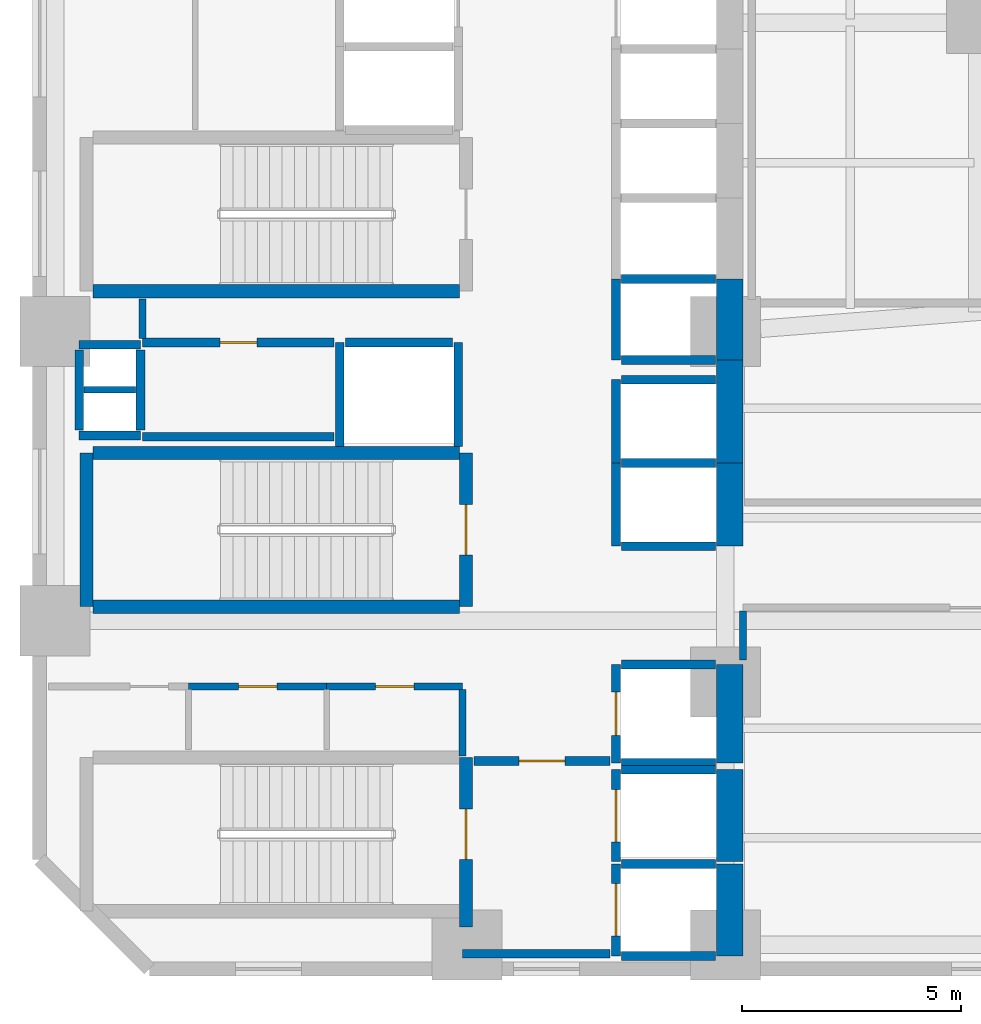
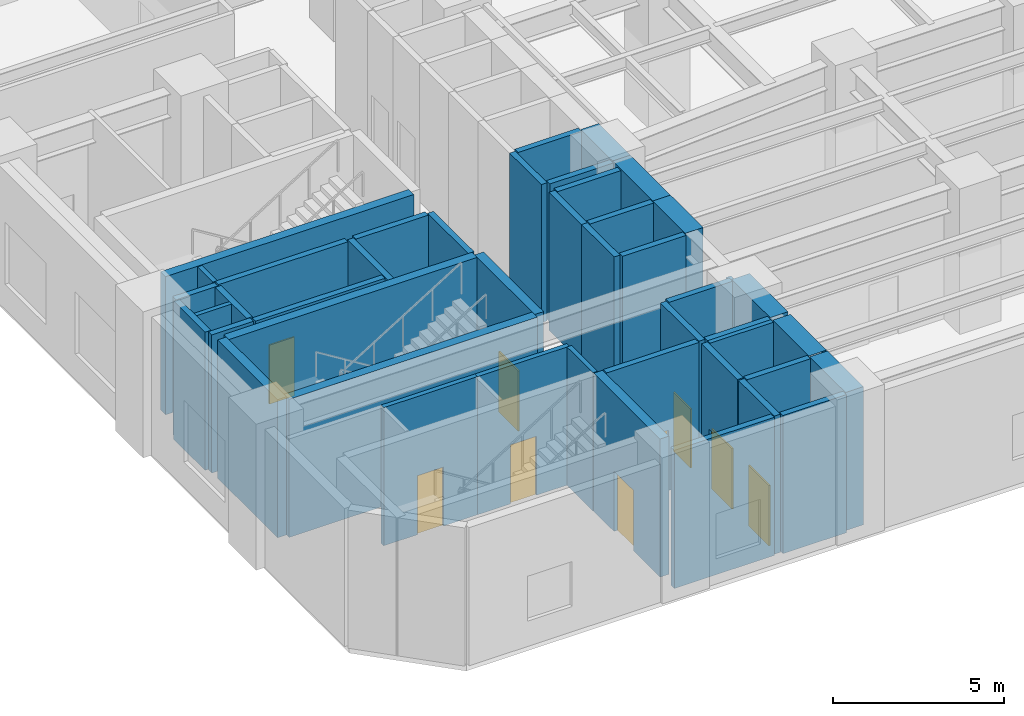
# One storey, part 14 of 22: 45 walls, 9 doors, 9 openings.
"""IFC4 building model written with IfcOpenShell, lengths in metres."""

from ifc_helpers import new_model, si_unit, direction, frame, frame_2d, origin, place, context, subcontext, project, spatial, rectangle, extrude, material, layer, layer_set, type_object, element, fill, save


model = new_model("IFC4")

# Units and contexts
model_context = context("Model", 3, precision=1e-05, world=origin(), true_north=direction((0.0, 1.0)))
body_context = subcontext(model_context, "Body", "Model", "MODEL_VIEW")
ifc_project = project(units=[si_unit("LENGTHUNIT", "METRE"), si_unit("AREAUNIT", "SQUARE_METRE"), si_unit("VOLUMEUNIT", "CUBIC_METRE"), si_unit("PLANEANGLEUNIT", "RADIAN"), si_unit("MASSUNIT", "GRAM", prefix="KILO")], contexts=[model_context])

# Site, building, storey
site_placement = place(None, origin())
site = spatial("IfcSite", under=ifc_project, at=site_placement, CompositionType="ELEMENT")
building_placement = place(site_placement, origin())
building = spatial("IfcBuilding", under=site, at=building_placement, Name="Mawjaban Terraces University", CompositionType="ELEMENT")
storey_placement = place(building_placement, frame((0.0, 0.0, 5.199951171875)))
storey = spatial("IfcBuildingStorey", under=building, at=storey_placement, Name="L01", CompositionType="ELEMENT", Elevation=5.199951171875)

# Walls
ifc_material_1 = material(Name="Concrete C70/85", Category="concrete")
ifc_layer_1 = layer(ifc_material_1, 0.60009765625)
ifc_layer_set_1 = layer_set([ifc_layer_1], Name="Concrete C70/85")
wall_type_1 = type_object("IfcWallType", Name="CoreShearWall_600", PredefinedType="SHEAR", material=ifc_layer_set_1)
wall_1_placement = place(storey_placement, frame((37.75, 0.300048828125, 0.0), z_axis=(0.0, 0.0, 1.0), x_axis=(0.0, 1.0, 0.0)))
element("IfcWall", 1, at=wall_1_placement, inside=storey, type_object=wall_type_1, Name="L01 Lift FL-1 Hoistway Wall East", PredefinedType="SHEAR", context=body_context, shape_type="SweptSolid", body=[
    extrude(rectangle(XDim=2.099853515625, YDim=0.60009765625, at=frame_2d((1.0498046875, 0.0))), origin(), (0.0, 0.0, 1.0), 4.920166015625),
])
wall_2_placement = place(storey_placement, frame((37.75, 2.449951171875, 0.0), z_axis=(0.0, 0.0, 1.0), x_axis=(0.0, 1.0, 0.0)))
element("IfcWall", 2, at=wall_2_placement, inside=storey, type_object=wall_type_1, Name="L01 Lift FL-2 Hoistway Wall East", PredefinedType="SHEAR", context=body_context, shape_type="SweptSolid", body=[
    extrude(rectangle(XDim=2.10009765625, YDim=0.60009765625, at=frame_2d((1.050048828125, 0.0))), origin(), (0.0, 0.0, 1.0), 4.920166015625),
])
wall_3_placement = place(storey_placement, frame((37.75, 4.699951171875, 0.0), z_axis=(0.0, 0.0, 1.0), x_axis=(0.0, 1.0, 0.0)))
element("IfcWall", 3, at=wall_3_placement, inside=storey, type_object=wall_type_1, Name="L01 Lift SL-1 Hoistway Wall East", PredefinedType="SHEAR", context=body_context, shape_type="SweptSolid", body=[
    extrude(rectangle(XDim=2.25, YDim=0.60009765625, at=frame_2d((1.125, 0.0))), origin(), (0.0, 0.0, 1.0), 4.920166015625),
])
wall_4_placement = place(storey_placement, frame((37.75, 9.64990234375, 0.0), z_axis=(0.0, 0.0, 1.0), x_axis=(0.0, 1.0, 0.0)))
element("IfcWall", 4, at=wall_4_placement, inside=storey, type_object=wall_type_1, Name="L01 Lift PL-H1 Hoistway Wall East", PredefinedType="SHEAR", context=body_context, shape_type="SweptSolid", body=[
    extrude(rectangle(XDim=1.900146484375, YDim=0.60009765625, at=frame_2d((0.9501953125, 0.0))), origin(), (0.0, 0.0, 1.0), 4.920166015625),
])
wall_5_placement = place(storey_placement, frame((37.75, 11.550048828125, 0.0), z_axis=(0.0, 0.0, 1.0), x_axis=(0.0, 1.0, 0.0)))
element("IfcWall", 5, at=wall_5_placement, inside=storey, type_object=wall_type_1, Name="L01 Lift PL-H2 Hoistway Wall East", PredefinedType="SHEAR", context=body_context, shape_type="SweptSolid", body=[
    extrude(rectangle(XDim=2.349853515625, YDim=0.60009765625, at=frame_2d((1.1748046875, 0.0))), origin(), (0.0, 0.0, 1.0), 4.920166015625),
])
wall_6_placement = place(storey_placement, frame((37.75, 13.89990234375, 0.0), z_axis=(0.0, 0.0, 1.0), x_axis=(0.0, 1.0, 0.0)))
element("IfcWall", 6, at=wall_6_placement, inside=storey, type_object=wall_type_1, Name="L01 Lift OL-1 Hoistway Wall East", PredefinedType="SHEAR", context=body_context, shape_type="SweptSolid", body=[
    extrude(rectangle(XDim=1.85009765625, YDim=0.60009765625, at=frame_2d((0.925048828125, 0.0))), origin(), (0.0, 0.0, 1.0), 4.920166015625),
])

# Wall, opening, door
ifc_material_2 = material(Name="Fire-rated gypsum board on steel stud", Category="steel")
ifc_layer_2 = layer(ifc_material_2, 0.159912109375)
ifc_layer_set_2 = layer_set([ifc_layer_2], Name="Fire-rated gypsum board on steel stud")
wall_type_2 = type_object("IfcWallType", Name="CorridorPartition_160", PredefinedType="PARTITIONING", material=ifc_layer_set_2)
wall_7_placement = place(storey_placement, frame((25.39990234375, 6.449951171875, 0.0), z_axis=(0.0, 0.0, 1.0), x_axis=(1.0, 0.0, 0.0)))
wall_7 = element("IfcWall", 7, at=wall_7_placement, inside=storey, type_object=wall_type_2, Name="L01 Core Washroom Lobby Partition 4", PredefinedType="PARTITIONING", context=body_context, shape_type="SweptSolid", body=[
    extrude(rectangle(XDim=3.150146484375, YDim=0.159912109375, at=frame_2d((1.5751953125, 0.0))), origin(), (0.0, 0.0, 1.0), 4.920166015625),
])
opening_1_placement = place(wall_7_placement, frame((1.135009765625, 0.0, 0.0)))
opening_1 = element("IfcOpeningElement", 8, at=opening_1_placement, cuts=wall_7, Name="Opening ID-088", PredefinedType="OPENING", context=body_context, shape_type="SweptSolid", body=[
    extrude(rectangle(XDim=0.8798828125, YDim=2.10009765625, at=frame_2d((0.43994140625, 1.050048828125))), frame((0.0, 0.08984375, 0.0), z_axis=(0.0, -1.0, 0.0), x_axis=(1.0, 0.0, 0.0)), (0.0, 0.0, 1.0), 0.179931640625),
])
ifc_material_3 = material(Name="Powder-coated steel frame and solid acoustic timber leaf", Category="steel")
door_type_1 = type_object("IfcDoorType", Name="ToiletDoor_880x2100", OperationType="NOTDEFINED", PredefinedType="DOOR", material=ifc_material_3)
door_1_placement = place(opening_1_placement, origin())
door_1 = element("IfcDoor", 9, at=door_1_placement, inside=storey, type_object=door_type_1, Name="L01 Female Toilet Door", OperationType="SINGLE_SWING_RIGHT", OverallHeight=2.10009765625, OverallWidth=0.8798828125, PredefinedType="DOOR", context=body_context, shape_type="SweptSolid", body=[
    extrude(rectangle(XDim=0.8798828125, YDim=2.10009765625, at=frame_2d((0.43994140625, 1.050048828125))), frame((0.0, 0.02490234375, 0.0), z_axis=(0.0, -1.0, 0.0), x_axis=(1.0, 0.0, 0.0)), (0.0, 0.0, 1.0), 0.050048828125),
])
fill(opening_1, door_1)

wall_8_placement = place(storey_placement, frame((28.550048828125, 6.449951171875, 0.0), z_axis=(0.0, 0.0, 1.0), x_axis=(1.0, 0.0, 0.0)))
wall_8 = element("IfcWall", 10, at=wall_8_placement, inside=storey, type_object=wall_type_2, Name="L01 Core Washroom Lobby Partition 6", PredefinedType="PARTITIONING", context=body_context, shape_type="SweptSolid", body=[
    extrude(rectangle(XDim=3.099853515625, YDim=0.159912109375, at=frame_2d((1.5498046875, 0.0))), origin(), (0.0, 0.0, 1.0), 4.920166015625),
])
opening_2_placement = place(wall_8_placement, frame((1.110107421875, 0.0, 0.0)))
opening_2 = element("IfcOpeningElement", 11, at=opening_2_placement, cuts=wall_8, Name="Opening ID-088", PredefinedType="OPENING", context=body_context, shape_type="SweptSolid", body=[
    extrude(rectangle(XDim=0.8798828125, YDim=2.10009765625, at=frame_2d((0.43994140625, 1.050048828125))), frame((0.0, 0.08984375, 0.0), z_axis=(0.0, -1.0, 0.0), x_axis=(1.0, 0.0, 0.0)), (0.0, 0.0, 1.0), 0.179931640625),
])
door_2_placement = place(opening_2_placement, origin())
door_2 = element("IfcDoor", 12, at=door_2_placement, inside=storey, type_object=door_type_1, Name="L01 Accessible Toilet Door", OperationType="SINGLE_SWING_LEFT", OverallHeight=2.10009765625, OverallWidth=0.8798828125, PredefinedType="DOOR", context=body_context, shape_type="SweptSolid", body=[
    extrude(rectangle(XDim=0.8798828125, YDim=2.10009765625, at=frame_2d((0.43994140625, 1.050048828125))), frame((0.0, 0.02490234375, 0.0), z_axis=(0.0, -1.0, 0.0), x_axis=(1.0, 0.0, 0.0)), (0.0, 0.0, 1.0), 0.050048828125),
])
fill(opening_2, door_2)

# Walls
wall_9_placement = place(storey_placement, frame((24.35009765625, 15.2900390625, 0.0), z_axis=(0.0, 0.0, 1.0), x_axis=(0.0, -1.0, 0.0)))
element("IfcWall", 13, at=wall_9_placement, inside=storey, type_object=wall_type_2, Name="L01 Core Riser Access Passage Partition 24", PredefinedType="PARTITIONING", context=body_context, shape_type="SweptSolid", body=[
    extrude(rectangle(XDim=0.89501953125, YDim=0.159912109375, at=frame_2d((0.447509765625, 0.0))), origin(), (0.0, 0.0, 1.0), 4.920166015625),
])
wall_10_placement = place(storey_placement, frame((31.64990234375, 4.860107421875, 0.0), z_axis=(0.0, 0.0, 1.0), x_axis=(0.0, 1.0, 0.0)))
element("IfcWall", 14, at=wall_10_placement, inside=storey, type_object=wall_type_2, Name="L01 Accessible Toilet Partition 29", PredefinedType="PARTITIONING", context=body_context, shape_type="SweptSolid", body=[
    extrude(rectangle(XDim=1.514892578125, YDim=0.159912109375, at=frame_2d((0.75732421875, 0.0))), origin(), (0.0, 0.0, 1.0), 4.920166015625),
])
wall_11_placement = place(storey_placement, frame((38.050048828125, 7.050048828125, 0.0), z_axis=(0.0, 0.0, 1.0), x_axis=(0.0, 1.0, 0.0)))
element("IfcWall", 15, at=wall_11_placement, inside=storey, type_object=wall_type_2, Name="L01 Core Stair and Lift Lobby East Partition 34", PredefinedType="PARTITIONING", context=body_context, shape_type="SweptSolid", body=[
    extrude(rectangle(XDim=1.125, YDim=0.159912109375, at=frame_2d((0.5625, 0.0))), origin(), (0.0, 0.0, 1.0), 4.06494140625),
])

# Wall, opening, door
ifc_material_4 = material(Name="Concrete C40/50", Category="concrete")
ifc_layer_3 = layer(ifc_material_4, 0.199951171875)
ifc_layer_set_3 = layer_set([ifc_layer_3], Name="Concrete C40/50")
wall_type_3 = type_object("IfcWallType", Name="FireLobbyWall_200", PredefinedType="SOLIDWALL", material=ifc_layer_set_3)
wall_12_placement = place(storey_placement, frame((35.14990234375, 2.39990234375, 0.0), z_axis=(0.0, 0.0, 1.0), x_axis=(0.0, -1.0, 0.0)))
wall_12 = element("IfcWall", 16, at=wall_12_placement, inside=storey, type_object=wall_type_3, Name="L01 Lift FL-1 Hoistway Wall West", PredefinedType="SOLIDWALL", context=body_context, shape_type="SweptSolid", body=[
    extrude(rectangle(XDim=2.099853515625, YDim=0.199951171875, at=frame_2d((1.0498046875, 0.0))), origin(), (0.0, 0.0, 1.0), 4.920166015625),
])
opening_3_placement = place(wall_12_placement, frame((0.449951171875, 0.0, 0.0)))
opening_3 = element("IfcOpeningElement", 17, at=opening_3_placement, cuts=wall_12, Name="Opening LD-FL-1", PredefinedType="OPENING", context=body_context, shape_type="SweptSolid", body=[
    extrude(rectangle(XDim=1.199951171875, YDim=2.14990234375, at=frame_2d((0.60009765625, 1.074951171875))), frame((0.0, 0.10986328125, 0.0), z_axis=(0.0, -1.0, 0.0), x_axis=(1.0, 0.0, 0.0)), (0.0, 0.0, 1.0), 0.219970703125),
])
ifc_material_5 = material(Name="Powder-coated steel frame and fire-rated steel-faced leaf", Category="steel")
door_type_2 = type_object("IfcDoorType", Name="LiftLandingFSAE_1200x2150", OperationType="NOTDEFINED", PredefinedType="DOOR", material=ifc_material_5)
door_3_placement = place(opening_3_placement, origin())
door_3 = element("IfcDoor", 18, at=door_3_placement, inside=storey, type_object=door_type_2, Name="L01 Lift FL-1 Sliding Landing Door", OperationType="DOUBLE_DOOR_SLIDING", OverallHeight=2.14990234375, OverallWidth=1.199951171875, PredefinedType="DOOR", context=body_context, shape_type="SweptSolid", body=[
    extrude(rectangle(XDim=1.199951171875, YDim=2.14990234375, at=frame_2d((0.60009765625, 1.074951171875))), frame((0.0, 0.02490234375, 0.0), z_axis=(0.0, -1.0, 0.0), x_axis=(1.0, 0.0, 0.0)), (0.0, 0.0, 1.0), 0.050048828125),
])
fill(opening_3, door_3)

# Walls
for number, where, z_axis, x_axis, name in (
    (19, (35.280029296875, 0.300048828125, 0.0), (0.0, 0.0, 1.0), (1.0, 0.0, 0.0), "L01 Lift FL-1 Hoistway Wall South"),
    (20, (37.419921875, 2.39990234375, 0.0), (0.0, 0.0, 1.0), (-1.0, 0.0, 0.0), "L01 Lift FL-1 Hoistway Wall North"),
):
    element("IfcWall", number, at=place(storey_placement, frame(where, z_axis=z_axis, x_axis=x_axis)), inside=storey, type_object=wall_type_3, Name=name, PredefinedType="SOLIDWALL", context=body_context, shape_type="SweptSolid", body=[
        extrude(rectangle(XDim=2.139892578125, YDim=0.199951171875, at=frame_2d((1.06982421875, 0.0))), origin(), (0.0, 0.0, 1.0), 4.920166015625),
    ])

# Wall, opening, door
wall_13_placement = place(storey_placement, frame((35.14990234375, 4.550048828125, 0.0), z_axis=(0.0, 0.0, 1.0), x_axis=(0.0, -1.0, 0.0)))
wall_13 = element("IfcWall", 21, at=wall_13_placement, inside=storey, type_object=wall_type_3, Name="L01 Lift FL-2 Hoistway Wall West", PredefinedType="SOLIDWALL", context=body_context, shape_type="SweptSolid", body=[
    extrude(rectangle(XDim=2.10009765625, YDim=0.199951171875, at=frame_2d((1.050048828125, 0.0))), origin(), (0.0, 0.0, 1.0), 4.920166015625),
])
opening_4_placement = place(wall_13_placement, frame((0.449951171875, 0.0, 0.0)))
opening_4 = element("IfcOpeningElement", 22, at=opening_4_placement, cuts=wall_13, Name="Opening LD-FL-2", PredefinedType="OPENING", context=body_context, shape_type="SweptSolid", body=[
    extrude(rectangle(XDim=1.199951171875, YDim=2.14990234375, at=frame_2d((0.60009765625, 1.074951171875))), frame((0.0, 0.10986328125, 0.0), z_axis=(0.0, -1.0, 0.0), x_axis=(1.0, 0.0, 0.0)), (0.0, 0.0, 1.0), 0.219970703125),
])
door_4_placement = place(opening_4_placement, origin())
door_4 = element("IfcDoor", 23, at=door_4_placement, inside=storey, type_object=door_type_2, Name="L01 Lift FL-2 Sliding Landing Door", OperationType="DOUBLE_DOOR_SLIDING", OverallHeight=2.14990234375, OverallWidth=1.199951171875, PredefinedType="DOOR", context=body_context, shape_type="SweptSolid", body=[
    extrude(rectangle(XDim=1.199951171875, YDim=2.14990234375, at=frame_2d((0.60009765625, 1.074951171875))), frame((0.0, 0.02490234375, 0.0), z_axis=(0.0, -1.0, 0.0), x_axis=(1.0, 0.0, 0.0)), (0.0, 0.0, 1.0), 0.050048828125),
])
fill(opening_4, door_4)

# Wall
wall_14_placement = place(storey_placement, frame((37.419921875, 4.550048828125, 0.0), z_axis=(0.0, 0.0, 1.0), x_axis=(-1.0, 0.0, 0.0)))
element("IfcWall", 24, at=wall_14_placement, inside=storey, type_object=wall_type_3, Name="L01 Lift FL-2 Hoistway Wall North", PredefinedType="SOLIDWALL", context=body_context, shape_type="SweptSolid", body=[
    extrude(rectangle(XDim=2.139892578125, YDim=0.199951171875, at=frame_2d((1.06982421875, 0.0))), origin(), (0.0, 0.0, 1.0), 4.920166015625),
])

# Wall, opening, door
wall_15_placement = place(storey_placement, frame((35.14990234375, 6.949951171875, 0.0), z_axis=(0.0, 0.0, 1.0), x_axis=(0.0, -1.0, 0.0)))
wall_15 = element("IfcWall", 25, at=wall_15_placement, inside=storey, type_object=wall_type_3, Name="L01 Lift SL-1 Hoistway Wall West", PredefinedType="SOLIDWALL", context=body_context, shape_type="SweptSolid", body=[
    extrude(rectangle(XDim=2.25, YDim=0.199951171875, at=frame_2d((1.125, 0.0))), origin(), (0.0, 0.0, 1.0), 4.920166015625),
])
opening_5_placement = place(wall_15_placement, frame((0.625, 0.0, 0.0)))
opening_5 = element("IfcOpeningElement", 26, at=opening_5_placement, cuts=wall_15, Name="Opening LD-SL-1", PredefinedType="OPENING", context=body_context, shape_type="SweptSolid", body=[
    extrude(rectangle(XDim=1.0, YDim=2.10009765625, at=frame_2d((0.5, 1.050048828125))), frame((0.0, 0.10986328125, 0.0), z_axis=(0.0, -1.0, 0.0), x_axis=(1.0, 0.0, 0.0)), (0.0, 0.0, 1.0), 0.219970703125),
])
door_type_3 = type_object("IfcDoorType", Name="LiftLandingSliding_1000x2100", OperationType="NOTDEFINED", PredefinedType="DOOR", material=ifc_material_5)
door_5_placement = place(opening_5_placement, origin())
door_5 = element("IfcDoor", 27, at=door_5_placement, inside=storey, type_object=door_type_3, Name="L01 Lift SL-1 Sliding Landing Door", OperationType="DOUBLE_DOOR_SLIDING", OverallHeight=2.10009765625, OverallWidth=1.0, PredefinedType="DOOR", context=body_context, shape_type="SweptSolid", body=[
    extrude(rectangle(XDim=1.0, YDim=2.10009765625, at=frame_2d((0.5, 1.050048828125))), frame((0.0, 0.02490234375, 0.0), z_axis=(0.0, -1.0, 0.0), x_axis=(1.0, 0.0, 0.0)), (0.0, 0.0, 1.0), 0.050048828125),
])
fill(opening_5, door_5)

# Walls
for number, where, z_axis, x_axis, name in (
    (28, (35.280029296875, 4.699951171875, 0.0), (0.0, 0.0, 1.0), (1.0, 0.0, 0.0), "L01 Lift SL-1 Hoistway Wall South"),
    (29, (37.419921875, 6.949951171875, 0.0), (0.0, 0.0, 1.0), (-1.0, 0.0, 0.0), "L01 Lift SL-1 Hoistway Wall North"),
):
    element("IfcWall", number, at=place(storey_placement, frame(where, z_axis=z_axis, x_axis=x_axis)), inside=storey, type_object=wall_type_3, Name=name, PredefinedType="SOLIDWALL", context=body_context, shape_type="SweptSolid", body=[
        extrude(rectangle(XDim=2.139892578125, YDim=0.199951171875, at=frame_2d((1.06982421875, 0.0))), origin(), (0.0, 0.0, 1.0), 4.920166015625),
    ])
wall_16_placement = place(storey_placement, frame((35.14990234375, 11.550048828125, 0.0), z_axis=(0.0, 0.0, 1.0), x_axis=(0.0, -1.0, 0.0)))
element("IfcWall", 30, at=wall_16_placement, inside=storey, type_object=wall_type_3, Name="L01 Lift PL-H1 Hoistway Wall West", PredefinedType="SOLIDWALL", context=body_context, shape_type="SweptSolid", body=[
    extrude(rectangle(XDim=1.900146484375, YDim=0.199951171875, at=frame_2d((0.9501953125, 0.0))), origin(), (0.0, 0.0, 1.0), 4.920166015625),
])
for number, where, z_axis, x_axis, name in (
    (31, (35.280029296875, 9.64990234375, 0.0), (0.0, 0.0, 1.0), (1.0, 0.0, 0.0), "L01 Lift PL-H1 Hoistway Wall South"),
    (32, (37.419921875, 11.550048828125, 0.0), (0.0, 0.0, 1.0), (-1.0, 0.0, 0.0), "L01 Lift PL-H1 Hoistway Wall North"),
):
    element("IfcWall", number, at=place(storey_placement, frame(where, z_axis=z_axis, x_axis=x_axis)), inside=storey, type_object=wall_type_3, Name=name, PredefinedType="SOLIDWALL", context=body_context, shape_type="SweptSolid", body=[
        extrude(rectangle(XDim=2.139892578125, YDim=0.199951171875, at=frame_2d((1.06982421875, 0.0))), origin(), (0.0, 0.0, 1.0), 4.920166015625),
    ])
wall_17_placement = place(storey_placement, frame((35.14990234375, 13.449951171875, 0.0), z_axis=(0.0, 0.0, 1.0), x_axis=(0.0, -1.0, 0.0)))
element("IfcWall", 33, at=wall_17_placement, inside=storey, type_object=wall_type_3, Name="L01 Lift PL-H2 Hoistway Wall West", PredefinedType="SOLIDWALL", context=body_context, shape_type="SweptSolid", body=[
    extrude(rectangle(XDim=1.89990234375, YDim=0.199951171875, at=frame_2d((0.949951171875, 0.0))), origin(), (0.0, 0.0, 1.0), 4.920166015625),
])
wall_18_placement = place(storey_placement, frame((37.419921875, 13.449951171875, 0.0), z_axis=(0.0, 0.0, 1.0), x_axis=(-1.0, 0.0, 0.0)))
element("IfcWall", 34, at=wall_18_placement, inside=storey, type_object=wall_type_3, Name="L01 Lift PL-H2 Hoistway Wall North", PredefinedType="SOLIDWALL", context=body_context, shape_type="SweptSolid", body=[
    extrude(rectangle(XDim=2.139892578125, YDim=0.199951171875, at=frame_2d((1.06982421875, 0.0))), origin(), (0.0, 0.0, 1.0), 4.920166015625),
])
for number, where, z_axis, x_axis, name in (
    (35, (28.85009765625, 14.300048828125, 0.0), (0.0, 0.0, 1.0), (0.0, -1.0, 0.0), "L01 Lift PL-H3 Hoistway Wall West"),
    (36, (31.550048828125, 11.929931640625, 0.0), (0.0, 0.0, 1.0), (0.0, 1.0, 0.0), "L01 Lift PL-H3 Hoistway Wall East"),
):
    element("IfcWall", number, at=place(storey_placement, frame(where, z_axis=z_axis, x_axis=x_axis)), inside=storey, type_object=wall_type_3, Name=name, PredefinedType="SOLIDWALL", context=body_context, shape_type="SweptSolid", body=[
        extrude(rectangle(XDim=2.3701171875, YDim=0.199951171875, at=frame_2d((1.18505859375, 0.0))), origin(), (0.0, 0.0, 1.0), 4.920166015625),
    ])
wall_19_placement = place(storey_placement, frame((31.419921875, 14.300048828125, 0.0), z_axis=(0.0, 0.0, 1.0), x_axis=(-1.0, 0.0, 0.0)))
element("IfcWall", 37, at=wall_19_placement, inside=storey, type_object=wall_type_3, Name="L01 Lift PL-H3 Hoistway Wall North", PredefinedType="SOLIDWALL", context=body_context, shape_type="SweptSolid", body=[
    extrude(rectangle(XDim=2.43994140625, YDim=0.199951171875, at=frame_2d((1.219970703125, 0.0))), origin(), (0.0, 0.0, 1.0), 4.920166015625),
])
wall_20_placement = place(storey_placement, frame((35.14990234375, 15.75, 0.0), z_axis=(0.0, 0.0, 1.0), x_axis=(0.0, -1.0, 0.0)))
element("IfcWall", 38, at=wall_20_placement, inside=storey, type_object=wall_type_3, Name="L01 Lift OL-1 Hoistway Wall West", PredefinedType="SOLIDWALL", context=body_context, shape_type="SweptSolid", body=[
    extrude(rectangle(XDim=1.85009765625, YDim=0.199951171875, at=frame_2d((0.925048828125, 0.0))), origin(), (0.0, 0.0, 1.0), 4.920166015625),
])
for number, where, z_axis, x_axis, name in (
    (39, (35.280029296875, 13.89990234375, 0.0), (0.0, 0.0, 1.0), (1.0, 0.0, 0.0), "L01 Lift OL-1 Hoistway Wall South"),
    (40, (37.419921875, 15.75, 0.0), (0.0, 0.0, 1.0), (-1.0, 0.0, 0.0), "L01 Lift OL-1 Hoistway Wall North"),
):
    element("IfcWall", number, at=place(storey_placement, frame(where, z_axis=z_axis, x_axis=x_axis)), inside=storey, type_object=wall_type_3, Name=name, PredefinedType="SOLIDWALL", context=body_context, shape_type="SweptSolid", body=[
        extrude(rectangle(XDim=2.139892578125, YDim=0.199951171875, at=frame_2d((1.06982421875, 0.0))), origin(), (0.0, 0.0, 1.0), 4.920166015625),
    ])
for number, where, z_axis, x_axis, name in (
    (41, (22.89990234375, 14.25, 0.0), (0.0, 0.0, 1.0), (1.0, 0.0, 0.0), "L01 MEP Riser Shaft Wall N"),
    (42, (22.89990234375, 12.179931640625, 0.0), (0.0, 0.0, 1.0), (1.0, 0.0, 0.0), "L01 MEP Riser Shaft Wall S"),
):
    element("IfcWall", number, at=place(storey_placement, frame(where, z_axis=z_axis, x_axis=x_axis)), inside=storey, type_object=wall_type_3, Name=name, PredefinedType="SOLIDWALL", context=body_context, shape_type="SweptSolid", body=[
        extrude(rectangle(XDim=1.400146484375, YDim=0.199951171875, at=frame_2d((0.7001953125, 0.0))), origin(), (0.0, 0.0, 1.0), 4.920166015625),
    ])
for number, where, z_axis, x_axis, name in (
    (43, (24.300048828125, 12.300048828125, 0.0), (0.0, 0.0, 1.0), (0.0, 1.0, 0.0), "L01 MEP Riser Shaft Wall E"),
    (44, (22.89990234375, 12.300048828125, 0.0), (0.0, 0.0, 1.0), (0.0, 1.0, 0.0), "L01 MEP Riser Shaft Wall W"),
):
    element("IfcWall", number, at=place(storey_placement, frame(where, z_axis=z_axis, x_axis=x_axis)), inside=storey, type_object=wall_type_3, Name=name, PredefinedType="SOLIDWALL", context=body_context, shape_type="SweptSolid", body=[
        extrude(rectangle(XDim=1.829833984375, YDim=0.199951171875, at=frame_2d((0.9150390625, 0.0))), origin(), (0.0, 0.0, 1.0), 4.920166015625),
    ])
wall_21_placement = place(storey_placement, frame((24.35009765625, 12.14990234375, 0.0), z_axis=(0.0, 0.0, 1.0), x_axis=(1.0, 0.0, 0.0)))
element("IfcWall", 45, at=wall_21_placement, inside=storey, type_object=wall_type_3, Name="L01 IT and Telecoms Riser Room Partition 2", PredefinedType="SOLIDWALL", context=body_context, shape_type="SweptSolid", body=[
    extrude(rectangle(XDim=4.369873046875, YDim=0.199951171875, at=frame_2d((2.18505859375, 0.0))), origin(), (0.0, 0.0, 1.0), 4.920166015625),
])

# Wall, opening, door
wall_22_placement = place(storey_placement, frame((24.35009765625, 14.300048828125, 0.0), z_axis=(0.0, 0.0, 1.0), x_axis=(1.0, 0.0, 0.0)))
wall_22 = element("IfcWall", 46, at=wall_22_placement, inside=storey, type_object=wall_type_3, Name="L01 Core Riser Access Passage Partition 3", PredefinedType="SOLIDWALL", context=body_context, shape_type="SweptSolid", body=[
    extrude(rectangle(XDim=4.369873046875, YDim=0.199951171875, at=frame_2d((2.18505859375, 0.0))), origin(), (0.0, 0.0, 1.0), 4.920166015625),
])
opening_6_placement = place(wall_22_placement, frame((1.760009765625, 0.0, 0.0)))
opening_6 = element("IfcOpeningElement", 47, at=opening_6_placement, cuts=wall_22, Name="Opening FD-085", PredefinedType="OPENING", context=body_context, shape_type="SweptSolid", body=[
    extrude(rectangle(XDim=0.85009765625, YDim=2.10009765625, at=frame_2d((0.425048828125, 1.050048828125))), frame((0.0, 0.10986328125, 0.0), z_axis=(0.0, -1.0, 0.0), x_axis=(1.0, 0.0, 0.0)), (0.0, 0.0, 1.0), 0.219970703125),
])
door_type_4 = type_object("IfcDoorType", Name="FireRiserDoor_850x2100", OperationType="NOTDEFINED", PredefinedType="DOOR", material=ifc_material_5)
door_6_placement = place(opening_6_placement, origin())
door_6 = element("IfcDoor", 48, at=door_6_placement, inside=storey, type_object=door_type_4, Name="L01 IT and Telecoms Riser Room Door", OperationType="SINGLE_SWING_RIGHT", OverallHeight=2.10009765625, OverallWidth=0.85009765625, PredefinedType="DOOR", context=body_context, shape_type="SweptSolid", body=[
    extrude(rectangle(XDim=0.85009765625, YDim=2.10009765625, at=frame_2d((0.425048828125, 1.050048828125))), frame((0.0, 0.02490234375, 0.0), z_axis=(0.0, -1.0, 0.0), x_axis=(1.0, 0.0, 0.0)), (0.0, 0.0, 1.0), 0.050048828125),
])
fill(opening_6, door_6)

# Wall
wall_23_placement = place(storey_placement, frame((31.64990234375, 0.35009765625, 0.0), z_axis=(0.0, 0.0, 1.0), x_axis=(1.0, 0.0, 0.0)))
element("IfcWall", 49, at=wall_23_placement, inside=storey, type_object=wall_type_3, Name="L01 Firefighting Lift Lobby Partition 9", PredefinedType="SOLIDWALL", context=body_context, shape_type="SweptSolid", body=[
    extrude(rectangle(XDim=3.3701171875, YDim=0.199951171875, at=frame_2d((1.68505859375, 0.0))), origin(), (0.0, 0.0, 1.0), 4.920166015625),
])

# Wall, opening, door
wall_24_placement = place(storey_placement, frame((35.02001953125, 4.75, 0.0), z_axis=(0.0, 0.0, 1.0), x_axis=(-1.0, 0.0, 0.0)))
wall_24 = element("IfcWall", 50, at=wall_24_placement, inside=storey, type_object=wall_type_3, Name="L01 Firefighting Lift Lobby Partition 12", PredefinedType="SOLIDWALL", context=body_context, shape_type="SweptSolid", body=[
    extrude(rectangle(XDim=3.110107421875, YDim=0.199951171875, at=frame_2d((1.55517578125, 0.0))), origin(), (0.0, 0.0, 1.0), 4.920166015625),
])
opening_7_placement = place(wall_24_placement, frame((1.030029296875, 0.0, 0.0)))
opening_7 = element("IfcOpeningElement", 51, at=opening_7_placement, cuts=wall_24, Name="Opening FD-105", PredefinedType="OPENING", context=body_context, shape_type="SweptSolid", body=[
    extrude(rectangle(XDim=1.050048828125, YDim=2.14990234375, at=frame_2d((0.52490234375, 1.074951171875))), frame((0.0, 0.10986328125, 0.0), z_axis=(0.0, -1.0, 0.0), x_axis=(1.0, 0.0, 0.0)), (0.0, 0.0, 1.0), 0.219970703125),
])
door_type_5 = type_object("IfcDoorType", Name="FireLobbyDoor_1050x2150", OperationType="NOTDEFINED", PredefinedType="DOOR", material=ifc_material_5)
door_7_placement = place(opening_7_placement, origin())
door_7 = element("IfcDoor", 52, at=door_7_placement, inside=storey, type_object=door_type_5, Name="L01 Firefighting Lift Lobby Door", OperationType="SINGLE_SWING_RIGHT", OverallHeight=2.14990234375, OverallWidth=1.050048828125, PredefinedType="DOOR", context=body_context, shape_type="SweptSolid", body=[
    extrude(rectangle(XDim=1.050048828125, YDim=2.14990234375, at=frame_2d((0.52490234375, 1.074951171875))), frame((0.0, 0.02490234375, 0.0), z_axis=(0.0, -1.0, 0.0), x_axis=(1.0, 0.0, 0.0)), (0.0, 0.0, 1.0), 0.050048828125),
])
fill(opening_7, door_7)

# Wall
ifc_material_6 = material(Name="Moisture-resistant gypsum board on steel stud", Category="steel")
ifc_layer_4 = layer(ifc_material_6, 0.14501953125)
ifc_layer_set_4 = layer_set([ifc_layer_4], Name="Moisture-resistant gypsum board on steel stud")
wall_type_4 = type_object("IfcWallType", Name="LabPartition_145", PredefinedType="PARTITIONING", material=ifc_layer_set_4)
wall_25_placement = place(storey_placement, frame((23.010009765625, 13.22509765625, 0.0), z_axis=(0.0, 0.0, 1.0), x_axis=(1.0, 0.0, 0.0)))
element("IfcWall", 53, at=wall_25_placement, inside=storey, type_object=wall_type_4, Name="L01 MEP Riser Shaft Wall M", PredefinedType="PARTITIONING", context=body_context, shape_type="SweptSolid", body=[
    extrude(rectangle(XDim=1.179931640625, YDim=0.14501953125, at=frame_2d((0.58984375, 0.0))), origin(), (0.0, 0.0, 1.0), 4.920166015625),
])

# Wall, opening, door
ifc_material_7 = material(Name="Concrete C60/75", Category="concrete")
ifc_layer_5 = layer(ifc_material_7, 0.300048828125)
ifc_layer_set_5 = layer_set([ifc_layer_5], Name="Concrete C60/75")
wall_type_5 = type_object("IfcWallType", Name="StairShaftWall_300", PredefinedType="SHEAR", material=ifc_layer_set_5)
wall_26_placement = place(storey_placement, frame((31.72998046875, 0.9599609375, 0.0), z_axis=(0.0, 0.0, 1.0), x_axis=(0.0, 1.0, 0.0)))
wall_26 = element("IfcWall", 54, at=wall_26_placement, inside=storey, type_object=wall_type_5, Name="L01 ST-1 Stair Shaft Wall 4", PredefinedType="SHEAR", context=body_context, shape_type="SweptSolid", body=[
    extrude(rectangle(XDim=3.8701171875, YDim=0.300048828125, at=frame_2d((1.93505859375, 0.0))), origin(), (0.0, 0.0, 1.0), 4.920166015625),
])
opening_8_placement = place(wall_26_placement, frame((1.5400390625, 0.0, 0.0)))
opening_8 = element("IfcOpeningElement", 55, at=opening_8_placement, cuts=wall_26, Name="Opening FD-115", PredefinedType="OPENING", context=body_context, shape_type="SweptSolid", body=[
    extrude(rectangle(XDim=1.14990234375, YDim=2.14990234375, at=frame_2d((0.574951171875, 1.074951171875))), frame((0.0, 0.159912109375, 0.0), z_axis=(0.0, -1.0, 0.0), x_axis=(1.0, 0.0, 0.0)), (0.0, 0.0, 1.0), 0.320068359375),
])
door_type_6 = type_object("IfcDoorType", Name="FireStairDoor_1150x2150", OperationType="NOTDEFINED", PredefinedType="DOOR", material=ifc_material_5)
door_8_placement = place(opening_8_placement, origin())
door_8 = element("IfcDoor", 56, at=door_8_placement, inside=storey, type_object=door_type_6, Name="L01 ST-1 Pressurised Stair Fire Door", OperationType="SINGLE_SWING_LEFT", OverallHeight=2.14990234375, OverallWidth=1.14990234375, PredefinedType="DOOR", context=body_context, shape_type="SweptSolid", body=[
    extrude(rectangle(XDim=1.14990234375, YDim=2.14990234375, at=frame_2d((0.574951171875, 1.074951171875))), frame((0.0, 0.02490234375, 0.0), z_axis=(0.0, -1.0, 0.0), x_axis=(1.0, 0.0, 0.0)), (0.0, 0.0, 1.0), 0.050048828125),
])
fill(opening_8, door_8)

# Walls
for number, where, z_axis, x_axis, name in (
    (57, (23.219970703125, 15.469970703125, 0.0), (0.0, 0.0, 1.0), (1.0, 0.0, 0.0), "L01 ST-2 Stair Shaft Wall 3"),
    (58, (31.580078125, 11.780029296875, 0.0), (0.0, 0.0, 1.0), (-1.0, 0.0, 0.0), "L01 ST-3 Stair Shaft Wall 1"),
):
    element("IfcWall", number, at=place(storey_placement, frame(where, z_axis=z_axis, x_axis=x_axis)), inside=storey, type_object=wall_type_5, Name=name, PredefinedType="SHEAR", context=body_context, shape_type="SweptSolid", body=[
        extrude(rectangle(XDim=8.360107421875, YDim=0.300048828125, at=frame_2d((4.18017578125, 0.0))), origin(), (0.0, 0.0, 1.0), 4.920166015625),
    ])
wall_27_placement = place(storey_placement, frame((23.070068359375, 11.780029296875, 0.0), z_axis=(0.0, 0.0, 1.0), x_axis=(0.0, -1.0, 0.0)))
element("IfcWall", 59, at=wall_27_placement, inside=storey, type_object=wall_type_5, Name="L01 ST-3 Stair Shaft Wall 2", PredefinedType="SHEAR", context=body_context, shape_type="SweptSolid", body=[
    extrude(rectangle(XDim=3.510009765625, YDim=0.300048828125, at=frame_2d((1.7548828125, 0.0))), origin(), (0.0, 0.0, 1.0), 4.920166015625),
])
wall_28_placement = place(storey_placement, frame((23.219970703125, 8.27001953125, 0.0), z_axis=(0.0, 0.0, 1.0), x_axis=(1.0, 0.0, 0.0)))
element("IfcWall", 60, at=wall_28_placement, inside=storey, type_object=wall_type_5, Name="L01 ST-3 Stair Shaft Wall 3", PredefinedType="SHEAR", context=body_context, shape_type="SweptSolid", body=[
    extrude(rectangle(XDim=8.360107421875, YDim=0.300048828125, at=frame_2d((4.18017578125, 0.0))), origin(), (0.0, 0.0, 1.0), 4.920166015625),
])

# Wall, opening, door
wall_29_placement = place(storey_placement, frame((31.72998046875, 8.27001953125, 0.0), z_axis=(0.0, 0.0, 1.0), x_axis=(0.0, 1.0, 0.0)))
wall_29 = element("IfcWall", 61, at=wall_29_placement, inside=storey, type_object=wall_type_5, Name="L01 ST-3 Stair Shaft Wall 4", PredefinedType="SHEAR", context=body_context, shape_type="SweptSolid", body=[
    extrude(rectangle(XDim=3.510009765625, YDim=0.300048828125, at=frame_2d((1.7548828125, 0.0))), origin(), (0.0, 0.0, 1.0), 4.920166015625),
])
opening_9_placement = place(wall_29_placement, frame((1.179931640625, 0.0, 0.0)))
opening_9 = element("IfcOpeningElement", 62, at=opening_9_placement, cuts=wall_29, Name="Opening FD-115", PredefinedType="OPENING", context=body_context, shape_type="SweptSolid", body=[
    extrude(rectangle(XDim=1.14990234375, YDim=2.14990234375, at=frame_2d((0.574951171875, 1.074951171875))), frame((0.0, 0.159912109375, 0.0), z_axis=(0.0, -1.0, 0.0), x_axis=(1.0, 0.0, 0.0)), (0.0, 0.0, 1.0), 0.320068359375),
])
door_9_placement = place(opening_9_placement, origin())
door_9 = element("IfcDoor", 63, at=door_9_placement, inside=storey, type_object=door_type_6, Name="L01 ST-3 Pressurised Stair Fire Door", OperationType="SINGLE_SWING_LEFT", OverallHeight=2.14990234375, OverallWidth=1.14990234375, PredefinedType="DOOR", context=body_context, shape_type="SweptSolid", body=[
    extrude(rectangle(XDim=1.14990234375, YDim=2.14990234375, at=frame_2d((0.574951171875, 1.074951171875))), frame((0.0, 0.02490234375, 0.0), z_axis=(0.0, -1.0, 0.0), x_axis=(1.0, 0.0, 0.0)), (0.0, 0.0, 1.0), 0.050048828125),
])
fill(opening_9, door_9)

save(model, "model.ifc")
